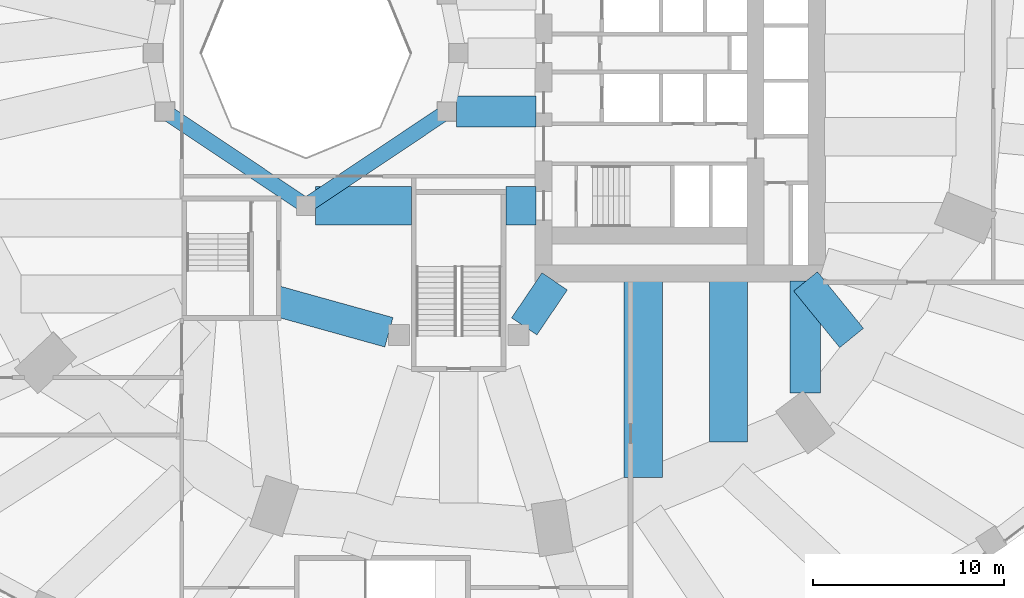
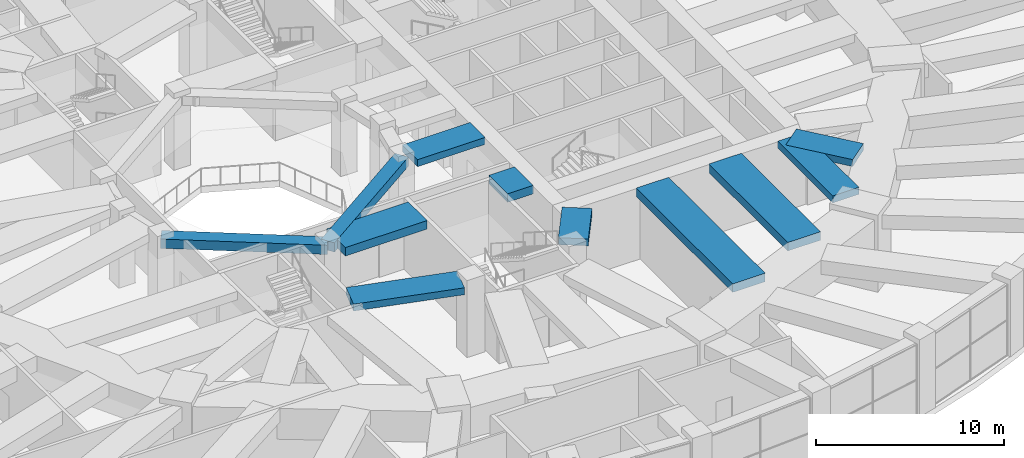
# One storey, part 7 of 30: 11 beams.
"""IFC4 building model written with IfcOpenShell, lengths in metres."""

from ifc_helpers import new_model, si_unit, direction, frame, origin, origin_2d, place, context, subcontext, project, spatial, rectangle, extrude, material, material_profile, profile_set, type_object, element, save


model = new_model("IFC4")

# Units and contexts
model_context = context("Model", 3, precision=1e-05, world=origin(), true_north=direction((0.0, 1.0)))
body_context = subcontext(model_context, "Body", "Model", "MODEL_VIEW")
ifc_project = project(units=[si_unit("LENGTHUNIT", "METRE"), si_unit("AREAUNIT", "SQUARE_METRE"), si_unit("VOLUMEUNIT", "CUBIC_METRE"), si_unit("PLANEANGLEUNIT", "RADIAN"), si_unit("MASSUNIT", "GRAM", prefix="KILO")], contexts=[model_context])

# Site, building, storey
site_placement = place(None, origin())
site = spatial("IfcSite", under=ifc_project, at=site_placement, CompositionType="ELEMENT")
building_placement = place(site_placement, origin())
building = spatial("IfcBuilding", under=site, at=building_placement, Name="Taillehof Tower", CompositionType="ELEMENT")
storey_placement = place(building_placement, frame((0.0, 0.0, 12.5)))
storey = spatial("IfcBuildingStorey", under=building, at=storey_placement, Name="L02", CompositionType="ELEMENT", Elevation=12.5)

# Beams
ifc_material_1 = material(Name="Concrete C50/60", Category="concrete")
ifc_material_profile_1 = material_profile(ifc_material_1, rectangle(XDim=0.800048828125, YDim=0.60009765625, at=origin_2d()), Name="RC 800x600")
ifc_profile_set_1 = profile_set([ifc_material_profile_1], Name="Concrete C50/60")
beam_type_1 = type_object("IfcBeamType", Name="Atrium ring beam C50/60 800x600", PredefinedType="BEAM", material=ifc_profile_set_1)
for number, where, z_axis, x_axis, name in (
    (1, (-15.39111328125, -3.0615234375, 4.35009765625), (0.831475195687, -0.555561876804, 0.0), (0.555561876804, 0.831475195687, 0.0), "Atrium ring beam AB06"),
    (2, (-8.0, -8.0, 4.35009765625), (0.831475195687, 0.555561876804, 0.0), (-0.555561876804, 0.831475195687, 0.0), "Atrium ring beam AB07"),
):
    element("IfcBeam", number, at=place(storey_placement, frame(where, z_axis=z_axis, x_axis=x_axis)), inside=storey, type_object=beam_type_1, Name=name, PredefinedType="BEAM", context=body_context, shape_type="SweptSolid", body=[
        extrude(rectangle(XDim=0.800048828125, YDim=0.60009765625, at=origin_2d()), origin(), (0.0, 0.0, 1.0), 8.88916015625),
    ])
ifc_material_2 = material(Name="Concrete C50/60", Category="concrete")
ifc_material_profile_2 = material_profile(ifc_material_2, rectangle(XDim=1.60009765625, YDim=0.449951171875, at=origin_2d()), Name="RC 1600x450")
ifc_profile_set_2 = profile_set([ifc_material_profile_2], Name="Concrete C50/60")
beam_type_2 = type_object("IfcBeamType", Name="Radial band beam C50/60 1600x450", PredefinedType="BEAM", material=ifc_profile_set_2)
beam_1_placement = place(storey_placement, frame((18.15869140625, -17.81591796875, 4.425048828125), z_axis=(0.0, 1.0, 0.0), x_axis=(-1.0, 0.0, 0.0)))
element("IfcBeam", 3, at=beam_1_placement, inside=storey, type_object=beam_type_2, Name="Radial band beam RB32", PredefinedType="BEAM", context=body_context, shape_type="SweptSolid", body=[
    extrude(rectangle(XDim=1.60009765625, YDim=0.449951171875, at=origin_2d()), origin(), (0.0, 0.0, 1.0), 5.865966796875),
])
beam_2_placement = place(storey_placement, frame((20.577392578125, -14.923095703125, 4.425048828125), z_axis=(-0.630968110057, 0.775808767732, 0.0), x_axis=(-0.775808767732, -0.630968110057, 0.0)))
element("IfcBeam", 4, at=beam_2_placement, inside=storey, type_object=beam_type_2, Name="Radial band beam RB33", PredefinedType="BEAM", context=body_context, shape_type="SweptSolid", body=[
    extrude(rectangle(XDim=1.60009765625, YDim=0.449951171875, at=origin_2d()), origin(), (0.0, 0.0, 1.0), 3.81787109375),
])
beam_3_placement = place(storey_placement, frame((-0.10888671875, -3.0615234375, 4.425048828125), z_axis=(1.0, 0.0, 0.0), x_axis=(0.0, 1.0, 0.0)))
element("IfcBeam", 5, at=beam_3_placement, inside=storey, type_object=beam_type_2, Name="Inner band beam IB116", PredefinedType="BEAM", context=body_context, shape_type="SweptSolid", body=[
    extrude(rectangle(XDim=1.60009765625, YDim=0.449951171875, at=origin_2d()), origin(), (0.0, 0.0, 1.0), 4.158935546875),
])
beam_4_placement = place(storey_placement, frame((-3.655517578125, -14.624755859375, 4.425048828125), z_axis=(-0.963459369536, 0.267854518821, 0.0), x_axis=(-0.267854518821, -0.963459369536, 0.0)))
element("IfcBeam", 6, at=beam_4_placement, inside=storey, type_object=beam_type_2, Name="Inner band beam IB214", PredefinedType="BEAM", context=body_context, shape_type="SweptSolid", body=[
    extrude(rectangle(XDim=1.60009765625, YDim=0.449951171875, at=origin_2d()), origin(), (0.0, 0.0, 1.0), 6.096923828125),
])
beam_5_placement = place(storey_placement, frame((3.433837890625, -14.31640625, 4.425048828125), z_axis=(0.560112043398, 0.828416862962, 0.0), x_axis=(-0.828416862962, 0.560112043398, 0.0)))
element("IfcBeam", 7, at=beam_5_placement, inside=storey, type_object=beam_type_2, Name="Inner band beam IB215", PredefinedType="BEAM", context=body_context, shape_type="SweptSolid", body=[
    extrude(rectangle(XDim=1.60009765625, YDim=0.449951171875, at=origin_2d()), origin(), (0.0, 0.0, 1.0), 2.84619140625),
])
ifc_material_3 = material(Name="Concrete C50/60", Category="concrete")
ifc_material_profile_3 = material_profile(ifc_material_3, rectangle(XDim=2.0, YDim=0.550048828125, at=origin_2d()), Name="RC 2000x550")
ifc_profile_set_3 = profile_set([ifc_material_profile_3], Name="Concrete C50/60")
beam_type_3 = type_object("IfcBeamType", Name="Radial band beam C50/60 2000x550", PredefinedType="BEAM", material=ifc_profile_set_3)
beam_6_placement = place(storey_placement, frame((9.662109375, -22.220947265625, 4.375), z_axis=(0.0, 1.0, 0.0), x_axis=(-1.0, 0.0, 0.0)))
element("IfcBeam", 8, at=beam_6_placement, inside=storey, type_object=beam_type_3, Name="Radial band beam RB30", PredefinedType="BEAM", context=body_context, shape_type="SweptSolid", body=[
    extrude(rectangle(XDim=2.0, YDim=0.550048828125, at=origin_2d()), origin(), (0.0, 0.0, 1.0), 10.27099609375),
])
beam_7_placement = place(storey_placement, frame((14.125, -20.36083984375, 4.375), z_axis=(0.0, 1.0, 0.0), x_axis=(-1.0, 0.0, 0.0)))
element("IfcBeam", 9, at=beam_7_placement, inside=storey, type_object=beam_type_3, Name="Radial band beam RB31", PredefinedType="BEAM", context=body_context, shape_type="SweptSolid", body=[
    extrude(rectangle(XDim=2.0, YDim=0.550048828125, at=origin_2d()), origin(), (0.0, 0.0, 1.0), 8.410888671875),
])
beam_8_placement = place(storey_placement, frame((-7.5, -8.0, 4.375), z_axis=(1.0, 0.0, 0.0), x_axis=(0.0, 1.0, 0.0)))
element("IfcBeam", 10, at=beam_8_placement, inside=storey, type_object=beam_type_3, Name="Inner band beam IB113", PredefinedType="BEAM", context=body_context, shape_type="SweptSolid", body=[
    extrude(rectangle(XDim=2.0, YDim=0.550048828125, at=origin_2d()), origin(), (0.0, 0.0, 1.0), 5.02490234375),
])
beam_9_placement = place(storey_placement, frame((2.47509765625, -8.0, 4.375), z_axis=(1.0, 0.0, 0.0), x_axis=(0.0, 1.0, 0.0)))
element("IfcBeam", 11, at=beam_9_placement, inside=storey, type_object=beam_type_3, Name="Inner band beam IB113", PredefinedType="BEAM", context=body_context, shape_type="SweptSolid", body=[
    extrude(rectangle(XDim=2.0, YDim=0.550048828125, at=origin_2d()), origin(), (0.0, 0.0, 1.0), 1.574951171875),
])

save(model, "model.ifc")
